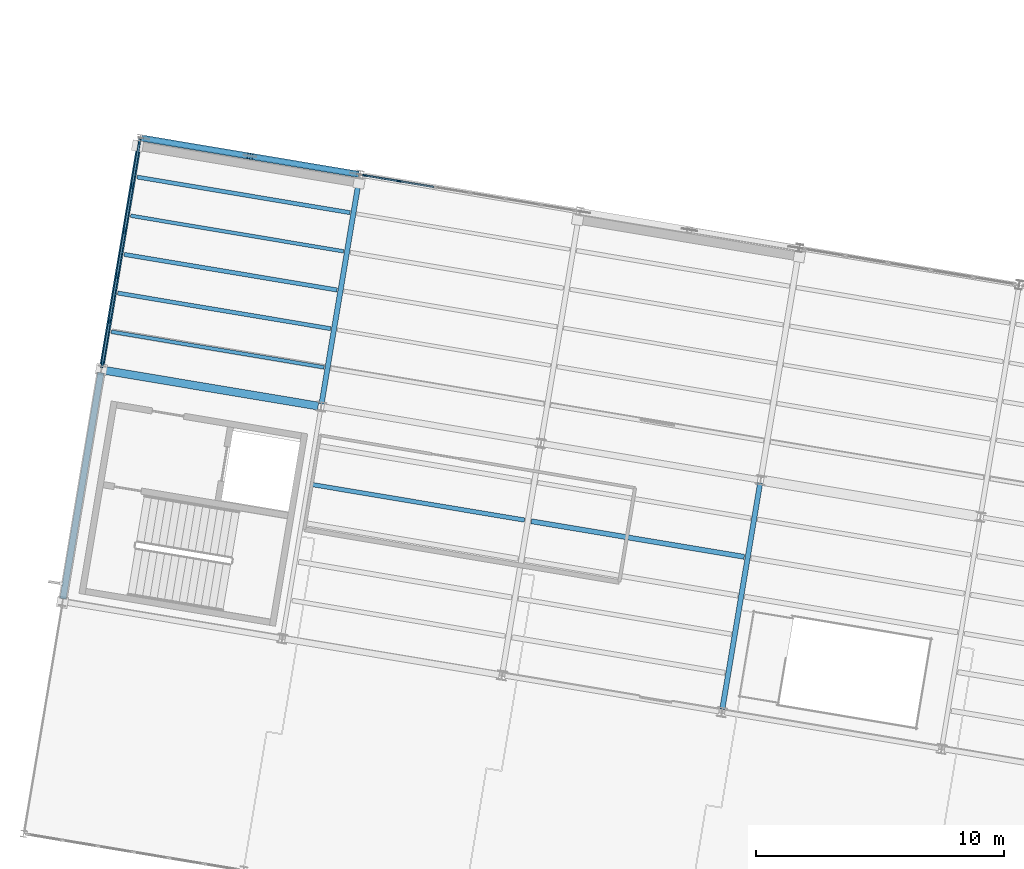
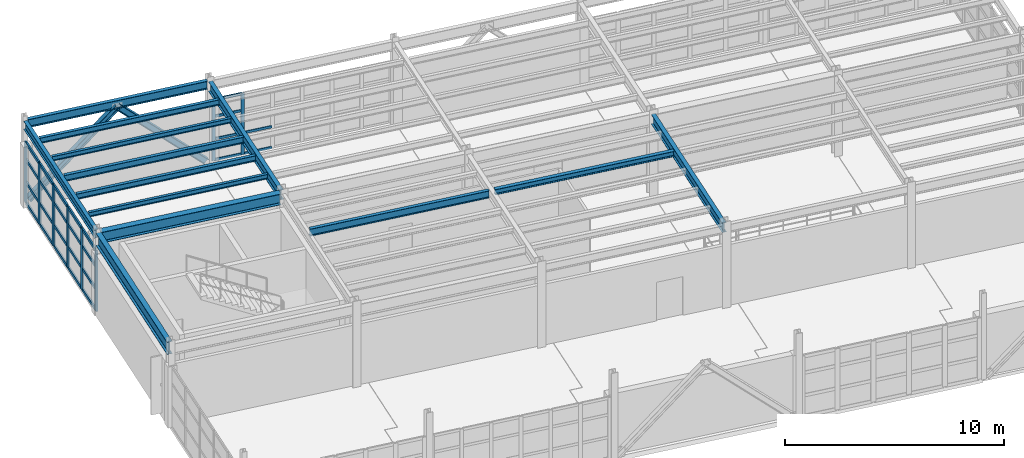
# One storey, part 40 of 102: 36 members, 13 beams, 2 elements without a shape of their own.
"""IFC4 building model written with IfcOpenShell, lengths in metres."""

from ifc_helpers import new_model, si_unit, direction, frame, origin, origin_2d, place, context, subcontext, project, spatial, rectangle, i_section, extrude, material, layer, layer_set, material_profile, profile_set, type_object, element, aggregate, save


model = new_model("IFC4")

# Units and contexts
model_context = context("Model", 3, precision=1e-05, world=origin(), true_north=direction((0.0, 1.0)))
body_context = subcontext(model_context, "Body", "Model", "MODEL_VIEW")
ifc_project = project(units=[si_unit("LENGTHUNIT", "METRE"), si_unit("AREAUNIT", "SQUARE_METRE"), si_unit("VOLUMEUNIT", "CUBIC_METRE"), si_unit("PLANEANGLEUNIT", "RADIAN"), si_unit("MASSUNIT", "GRAM", prefix="KILO")], contexts=[model_context])

# Site, building, storey
site_placement = place(None, origin())
site = spatial("IfcSite", under=ifc_project, at=site_placement, CompositionType="ELEMENT")
building_placement = place(site_placement, origin())
building = spatial("IfcBuilding", under=site, at=building_placement, Name="Vireo Bluff Cable Station", CompositionType="ELEMENT")
storey_placement = place(building_placement, frame((0.0, 0.0, 9.60009765625)))
storey = spatial("IfcBuildingStorey", under=building, at=storey_placement, Name="L02", CompositionType="ELEMENT", Elevation=9.60009765625)

# Beam
ifc_material_1 = material(Name="Steel ASTM A992 Gr. 50", Category="steel")
ifc_material_profile_1 = material_profile(ifc_material_1, i_section(OverallWidth=0.2099609375, OverallDepth=0.535888671875, WebThickness=0.010986328125, FlangeThickness=0.017333984375, FilletRadius=0.012939453125, at=origin_2d()), Name="W21X68")
ifc_profile_set_1 = profile_set([ifc_material_profile_1], Name="Steel ASTM A992 Gr. 50")
beam_type_1 = type_object("IfcBeamType", Name="BM-W21X68", PredefinedType="BEAM", material=ifc_profile_set_1)
beam_1_placement = place(storey_placement, frame((17.5322265625, 88.872314453125, 4.27197265625), z_axis=(0.165044536891, 0.986286115102, 0.0), x_axis=(-0.986286115102, 0.165044536891, 0.0)))
element("IfcBeam", 1, at=beam_1_placement, inside=storey, type_object=beam_type_1, Name="V4 L02 beam 990", PredefinedType="BEAM", context=body_context, shape_type="SweptSolid", body=[
    extrude(i_section(OverallWidth=0.2099609375, OverallDepth=0.535888671875, WebThickness=0.010986328125, FlangeThickness=0.017333984375, FilletRadius=0.012939453125, at=origin_2d()), origin(), (0.0, 0.0, 1.0), 9.260009765625),
])

# Members
ifc_material_profile_2 = material_profile(ifc_material_1, i_section(OverallWidth=0.25390625, OverallDepth=0.305908203125, WebThickness=0.0087890625, FlangeThickness=0.0146484375, FilletRadius=0.010986328125, at=origin_2d()), Name="W12X53")
ifc_profile_set_2 = profile_set([ifc_material_profile_2], Name="Steel ASTM A992 Gr. 50")
member_type_1 = type_object("IfcMemberType", Name="BRC-04", PredefinedType="BRACE", material=ifc_profile_set_2)
member_1_placement = place(storey_placement, frame((10.361572265625, 99.582763671875, 0.039794921875), z_axis=(0.713650967905, -0.119423483707, 0.690246570109), x_axis=(0.165046622801, 0.986285766044, 0.0)))
element("IfcMember", 2, at=member_1_placement, inside=storey, type_object=member_type_1, Name="V4 L02 concentric brace 75L", PredefinedType="BRACE", context=body_context, shape_type="SweptSolid", body=[
    extrude(i_section(OverallWidth=0.25390625, OverallDepth=0.305908203125, WebThickness=0.0087890625, FlangeThickness=0.0146484375, FilletRadius=0.010986328125, at=origin_2d()), origin(), (0.0, 0.0, 1.0), 5.998046875),
])
ifc_material_profile_3 = material_profile(ifc_material_1, i_section(OverallWidth=0.25390625, OverallDepth=0.31005859375, WebThickness=0.009033203125, FlangeThickness=0.016357421875, FilletRadius=0.010986328125, at=origin_2d()), Name="W12X58")
ifc_profile_set_3 = profile_set([ifc_material_profile_3], Name="Steel ASTM A992 Gr. 50")
member_type_2 = type_object("IfcMemberType", Name="BRC-05", PredefinedType="BRACE", material=ifc_profile_set_3)
member_2_placement = place(storey_placement, frame((18.922607421875, 98.150146484375, 0.039794921875), z_axis=(-0.713650967905, 0.119423483707, 0.690246570109), x_axis=(-0.165046622801, -0.986285766044, 0.0)))
element("IfcMember", 3, at=member_2_placement, inside=storey, type_object=member_type_2, Name="V4 L02 concentric brace 76R", PredefinedType="BRACE", context=body_context, shape_type="SweptSolid", body=[
    extrude(i_section(OverallWidth=0.25390625, OverallDepth=0.31005859375, WebThickness=0.009033203125, FlangeThickness=0.016357421875, FilletRadius=0.010986328125, at=origin_2d()), origin(), (0.0, 0.0, 1.0), 5.998046875),
])

# Curtain wall, members
ifc_material_2 = material(Name="Anodized Aluminium 6063-T6", Category="aluminium")
ifc_layer_1 = layer(ifc_material_2, 0.179931640625, Name="Anodized Aluminium 6063-T6")
ifc_layer_set_1 = layer_set([ifc_layer_1], Name="Anodized Aluminium 6063-T6")
curtain_wall_type_1 = type_object("IfcCurtainWallType", Name="CW-UNIT-1500", PredefinedType="USERDEFINED", material=ifc_layer_set_1)
curtain_wall_1_placement = place(storey_placement, origin())
curtain_wall_1 = element("IfcCurtainWall", 4, at=curtain_wall_1_placement, inside=storey, type_object=curtain_wall_type_1, Name="V4 L02 north curtain wall CW-100", ObjectType="UNITISED CURTAIN WALL", PredefinedType="USERDEFINED")
ifc_material_profile_4 = material_profile(ifc_material_2, rectangle(XDim=0.06494140625, YDim=0.179931640625, at=origin_2d()), Name="ALU-M-65X180")
ifc_profile_set_4 = profile_set([ifc_material_profile_4], Name="Anodized Aluminium 6063-T6")
member_type_3 = type_object("IfcMemberType", Name="CWM-01", PredefinedType="MULLION", material=ifc_profile_set_4)
member_3_placement = place(storey_placement, frame((19.268798828125, 98.09228515625, 0.0), z_axis=(0.0, 0.0, 1.0), x_axis=(0.165047544373, 0.986285611827, 0.0)))
member_3 = element("IfcMember", 5, at=member_3_placement, type_object=member_type_3, Name="CW-100 mullion 1", PredefinedType="MULLION", context=body_context, shape_type="SweptSolid", body=[
    extrude(rectangle(XDim=0.06494140625, YDim=0.179931640625, at=origin_2d()), origin(), (0.0, 0.0, 1.0), 3.39990234375),
])
member_4_placement = place(storey_placement, frame((20.664306640625, 97.858642578125, 0.0), z_axis=(0.0, 0.0, 1.0), x_axis=(0.165047544373, 0.986285611827, 0.0)))
member_4 = element("IfcMember", 6, at=member_4_placement, type_object=member_type_3, Name="CW-100 mullion 2", PredefinedType="MULLION", context=body_context, shape_type="SweptSolid", body=[
    extrude(rectangle(XDim=0.06494140625, YDim=0.179931640625, at=origin_2d()), origin(), (0.0, 0.0, 1.0), 3.39990234375),
])

ifc_layer_2 = layer(ifc_material_2, 0.159912109375, Name="Anodized Aluminium 6063-T6")
ifc_layer_set_2 = layer_set([ifc_layer_2], Name="Anodized Aluminium 6063-T6")
curtain_wall_type_2 = type_object("IfcCurtainWallType", Name="CW-STICK-1850", PredefinedType="USERDEFINED", material=ifc_layer_set_2)
curtain_wall_2_placement = place(storey_placement, origin())
curtain_wall_2 = element("IfcCurtainWall", 7, at=curtain_wall_2_placement, inside=storey, type_object=curtain_wall_type_2, Name="V4 L02 west curtain wall CW-099", ObjectType="STICK CURTAIN WALL", PredefinedType="USERDEFINED")
ifc_material_profile_5 = material_profile(ifc_material_2, rectangle(XDim=0.080078125, YDim=0.239990234375, at=origin_2d()), Name="ALU-M-80X240")
ifc_profile_set_5 = profile_set([ifc_material_profile_5], Name="Anodized Aluminium 6063-T6")
member_type_4 = type_object("IfcMemberType", Name="CWM-04", PredefinedType="MULLION", material=ifc_profile_set_5)
member_5_placement = place(storey_placement, frame((8.66943359375, 90.440185546875, 0.0), z_axis=(0.0, 0.0, 1.0), x_axis=(-0.986285599509, 0.165047617979, 0.0)))
member_5 = element("IfcMember", 8, at=member_5_placement, type_object=member_type_4, Name="CW-099 mullion 1", PredefinedType="MULLION", context=body_context, shape_type="SweptSolid", body=[
    extrude(rectangle(XDim=0.080078125, YDim=0.239990234375, at=origin_2d()), origin(), (0.0, 0.0, 1.0), 3.39990234375),
])
member_6_placement = place(storey_placement, frame((8.966796875, 92.216796875, 0.0), z_axis=(0.0, 0.0, 1.0), x_axis=(-0.986285599509, 0.165047617979, 0.0)))
member_6 = element("IfcMember", 9, at=member_6_placement, type_object=member_type_4, Name="CW-099 mullion 2", PredefinedType="MULLION", context=body_context, shape_type="SweptSolid", body=[
    extrude(rectangle(XDim=0.080078125, YDim=0.239990234375, at=origin_2d()), origin(), (0.0, 0.0, 1.0), 3.39990234375),
])
member_7_placement = place(storey_placement, frame((9.270751953125, 94.03271484375, 0.0), z_axis=(0.0, 0.0, 1.0), x_axis=(-0.986285599509, 0.165047617979, 0.0)))
member_7 = element("IfcMember", 10, at=member_7_placement, type_object=member_type_4, Name="CW-099 mullion 3", PredefinedType="MULLION", context=body_context, shape_type="SweptSolid", body=[
    extrude(rectangle(XDim=0.080078125, YDim=0.239990234375, at=origin_2d()), origin(), (0.0, 0.0, 1.0), 3.39990234375),
])
member_8_placement = place(storey_placement, frame((9.57470703125, 95.848876953125, 0.0), z_axis=(0.0, 0.0, 1.0), x_axis=(-0.986285599509, 0.165047617979, 0.0)))
member_8 = element("IfcMember", 11, at=member_8_placement, type_object=member_type_4, Name="CW-099 mullion 4", PredefinedType="MULLION", context=body_context, shape_type="SweptSolid", body=[
    extrude(rectangle(XDim=0.080078125, YDim=0.239990234375, at=origin_2d()), origin(), (0.0, 0.0, 1.0), 3.39990234375),
])
member_9_placement = place(storey_placement, frame((9.87841796875, 97.664794921875, 0.0), z_axis=(0.0, 0.0, 1.0), x_axis=(-0.986285599509, 0.165047617979, 0.0)))
member_9 = element("IfcMember", 12, at=member_9_placement, type_object=member_type_4, Name="CW-099 mullion 5", PredefinedType="MULLION", context=body_context, shape_type="SweptSolid", body=[
    extrude(rectangle(XDim=0.080078125, YDim=0.239990234375, at=origin_2d()), origin(), (0.0, 0.0, 1.0), 3.39990234375),
])
member_10_placement = place(storey_placement, frame((10.17578125, 99.44140625, 0.0), z_axis=(0.0, 0.0, 1.0), x_axis=(-0.986285599509, 0.165047617979, 0.0)))
member_10 = element("IfcMember", 13, at=member_10_placement, type_object=member_type_4, Name="CW-099 mullion 6", PredefinedType="MULLION", context=body_context, shape_type="SweptSolid", body=[
    extrude(rectangle(XDim=0.080078125, YDim=0.239990234375, at=origin_2d()), origin(), (0.0, 0.0, 1.0), 3.39990234375),
])

# Member
ifc_material_profile_6 = material_profile(ifc_material_2, rectangle(XDim=0.06494140625, YDim=0.139892578125, at=origin_2d()), Name="ALU-T-65X140")
ifc_profile_set_6 = profile_set([ifc_material_profile_6], Name="Anodized Aluminium 6063-T6")
member_type_5 = type_object("IfcMemberType", Name="CWT-01", PredefinedType="USERDEFINED", material=ifc_profile_set_6)
member_11_placement = place(storey_placement, frame((19.30078125, 98.0869140625, 0.032470703125), z_axis=(0.986276374104, -0.165102737359, 0.0), x_axis=(0.165102737359, 0.986276374104, 0.0)))
member_11 = element("IfcMember", 14, at=member_11_placement, type_object=member_type_5, Name="CW-100 transom 1.1", ObjectType="TRANSOM", PredefinedType="USERDEFINED", context=body_context, shape_type="SweptSolid", body=[
    extrude(rectangle(XDim=0.06494140625, YDim=0.139892578125, at=origin_2d()), origin(), (0.0, 0.0, 1.0), 1.35009765625),
])

member_12_placement = place(storey_placement, frame((19.30078125, 98.0869140625, 1.18994140625), z_axis=(0.986276374104, -0.165102737359, 0.0), x_axis=(0.165102737359, 0.986276374104, 0.0)))
member_12 = element("IfcMember", 15, at=member_12_placement, type_object=member_type_5, Name="CW-100 transom 1.2", ObjectType="TRANSOM", PredefinedType="USERDEFINED", context=body_context, shape_type="SweptSolid", body=[
    extrude(rectangle(XDim=0.06494140625, YDim=0.139892578125, at=origin_2d()), origin(), (0.0, 0.0, 1.0), 1.35009765625),
])

member_13_placement = place(storey_placement, frame((19.30078125, 98.0869140625, 2.447998046875), z_axis=(0.986276374104, -0.165102737359, 0.0), x_axis=(0.165102737359, 0.986276374104, 0.0)))
member_13 = element("IfcMember", 16, at=member_13_placement, type_object=member_type_5, Name="CW-100 transom 1.3", ObjectType="TRANSOM", PredefinedType="USERDEFINED", context=body_context, shape_type="SweptSolid", body=[
    extrude(rectangle(XDim=0.06494140625, YDim=0.139892578125, at=origin_2d()), origin(), (0.0, 0.0, 1.0), 1.35009765625),
])

member_14_placement = place(storey_placement, frame((19.30078125, 98.0869140625, 3.367431640625), z_axis=(0.986276374104, -0.165102737359, 0.0), x_axis=(0.165102737359, 0.986276374104, 0.0)))
member_14 = element("IfcMember", 17, at=member_14_placement, type_object=member_type_5, Name="CW-100 transom 1.4", ObjectType="TRANSOM", PredefinedType="USERDEFINED", context=body_context, shape_type="SweptSolid", body=[
    extrude(rectangle(XDim=0.06494140625, YDim=0.139892578125, at=origin_2d()), origin(), (0.0, 0.0, 1.0), 1.35009765625),
])

member_15_placement = place(storey_placement, frame((20.696533203125, 97.853271484375, 0.032470703125), z_axis=(0.986274344137, -0.165114863343, 0.0), x_axis=(0.165114863343, 0.986274344137, 0.0)))
member_15 = element("IfcMember", 18, at=member_15_placement, type_object=member_type_5, Name="CW-100 transom 2.1", ObjectType="TRANSOM", PredefinedType="USERDEFINED", context=body_context, shape_type="SweptSolid", body=[
    extrude(rectangle(XDim=0.06494140625, YDim=0.139892578125, at=origin_2d()), origin(), (0.0, 0.0, 1.0), 1.382568359375),
])

member_16_placement = place(storey_placement, frame((20.696533203125, 97.853271484375, 1.18994140625), z_axis=(0.986274344137, -0.165114863343, 0.0), x_axis=(0.165114863343, 0.986274344137, 0.0)))
member_16 = element("IfcMember", 19, at=member_16_placement, type_object=member_type_5, Name="CW-100 transom 2.2", ObjectType="TRANSOM", PredefinedType="USERDEFINED", context=body_context, shape_type="SweptSolid", body=[
    extrude(rectangle(XDim=0.06494140625, YDim=0.139892578125, at=origin_2d()), origin(), (0.0, 0.0, 1.0), 1.382568359375),
])

aggregate(curtain_wall_1, [member_3, member_4, member_11, member_12, member_13, member_14, member_15, member_16])

ifc_material_profile_7 = material_profile(ifc_material_2, rectangle(XDim=0.080078125, YDim=0.175048828125, at=origin_2d()), Name="ALU-T-80X175")
ifc_profile_set_7 = profile_set([ifc_material_profile_7], Name="Anodized Aluminium 6063-T6")
member_type_6 = type_object("IfcMemberType", Name="CWT-04", PredefinedType="USERDEFINED", material=ifc_profile_set_7)
member_17_placement = place(storey_placement, frame((8.676025390625, 90.4794921875, 0.039794921875), z_axis=(0.165088925879, 0.986278686048, 0.0), x_axis=(-0.986278686048, 0.165088925879, 0.0)))
member_17 = element("IfcMember", 20, at=member_17_placement, type_object=member_type_6, Name="CW-099 transom 1.1", ObjectType="TRANSOM", PredefinedType="USERDEFINED", context=body_context, shape_type="SweptSolid", body=[
    extrude(rectangle(XDim=0.080078125, YDim=0.175048828125, at=origin_2d()), origin(), (0.0, 0.0, 1.0), 1.721435546875),
])

member_18_placement = place(storey_placement, frame((8.676025390625, 90.4794921875, 1.18994140625), z_axis=(0.165088925879, 0.986278686048, 0.0), x_axis=(-0.986278686048, 0.165088925879, 0.0)))
member_18 = element("IfcMember", 21, at=member_18_placement, type_object=member_type_6, Name="CW-099 transom 1.2", ObjectType="TRANSOM", PredefinedType="USERDEFINED", context=body_context, shape_type="SweptSolid", body=[
    extrude(rectangle(XDim=0.080078125, YDim=0.175048828125, at=origin_2d()), origin(), (0.0, 0.0, 1.0), 1.721435546875),
])

member_19_placement = place(storey_placement, frame((8.676025390625, 90.4794921875, 2.447998046875), z_axis=(0.165088925879, 0.986278686048, 0.0), x_axis=(-0.986278686048, 0.165088925879, 0.0)))
member_19 = element("IfcMember", 22, at=member_19_placement, type_object=member_type_6, Name="CW-099 transom 1.3", ObjectType="TRANSOM", PredefinedType="USERDEFINED", context=body_context, shape_type="SweptSolid", body=[
    extrude(rectangle(XDim=0.080078125, YDim=0.175048828125, at=origin_2d()), origin(), (0.0, 0.0, 1.0), 1.721435546875),
])

member_20_placement = place(storey_placement, frame((8.676025390625, 90.4794921875, 3.35986328125), z_axis=(0.165088925879, 0.986278686048, 0.0), x_axis=(-0.986278686048, 0.165088925879, 0.0)))
member_20 = element("IfcMember", 23, at=member_20_placement, type_object=member_type_6, Name="CW-099 transom 1.4", ObjectType="TRANSOM", PredefinedType="USERDEFINED", context=body_context, shape_type="SweptSolid", body=[
    extrude(rectangle(XDim=0.080078125, YDim=0.175048828125, at=origin_2d()), origin(), (0.0, 0.0, 1.0), 1.721435546875),
])

member_21_placement = place(storey_placement, frame((8.973388671875, 92.256103515625, 0.039794921875), z_axis=(0.165073221706, 0.986281314573, 0.0), x_axis=(-0.986281314573, 0.165073221706, 0.0)))
member_21 = element("IfcMember", 24, at=member_21_placement, type_object=member_type_6, Name="CW-099 transom 2.1", ObjectType="TRANSOM", PredefinedType="USERDEFINED", context=body_context, shape_type="SweptSolid", body=[
    extrude(rectangle(XDim=0.080078125, YDim=0.175048828125, at=origin_2d()), origin(), (0.0, 0.0, 1.0), 1.761474609375),
])

member_22_placement = place(storey_placement, frame((8.973388671875, 92.256103515625, 1.18994140625), z_axis=(0.165073221706, 0.986281314573, 0.0), x_axis=(-0.986281314573, 0.165073221706, 0.0)))
member_22 = element("IfcMember", 25, at=member_22_placement, type_object=member_type_6, Name="CW-099 transom 2.2", ObjectType="TRANSOM", PredefinedType="USERDEFINED", context=body_context, shape_type="SweptSolid", body=[
    extrude(rectangle(XDim=0.080078125, YDim=0.175048828125, at=origin_2d()), origin(), (0.0, 0.0, 1.0), 1.761474609375),
])

member_23_placement = place(storey_placement, frame((8.973388671875, 92.256103515625, 2.447998046875), z_axis=(0.165073221706, 0.986281314573, 0.0), x_axis=(-0.986281314573, 0.165073221706, 0.0)))
member_23 = element("IfcMember", 26, at=member_23_placement, type_object=member_type_6, Name="CW-099 transom 2.3", ObjectType="TRANSOM", PredefinedType="USERDEFINED", context=body_context, shape_type="SweptSolid", body=[
    extrude(rectangle(XDim=0.080078125, YDim=0.175048828125, at=origin_2d()), origin(), (0.0, 0.0, 1.0), 1.761474609375),
])

member_24_placement = place(storey_placement, frame((8.973388671875, 92.256103515625, 3.35986328125), z_axis=(0.165073221706, 0.986281314573, 0.0), x_axis=(-0.986281314573, 0.165073221706, 0.0)))
member_24 = element("IfcMember", 27, at=member_24_placement, type_object=member_type_6, Name="CW-099 transom 2.4", ObjectType="TRANSOM", PredefinedType="USERDEFINED", context=body_context, shape_type="SweptSolid", body=[
    extrude(rectangle(XDim=0.080078125, YDim=0.175048828125, at=origin_2d()), origin(), (0.0, 0.0, 1.0), 1.761474609375),
])

member_25_placement = place(storey_placement, frame((9.27734375, 94.072265625, 0.039794921875), z_axis=(0.165095790109, 0.986277537049, 0.0), x_axis=(-0.986277537049, 0.165095790109, 0.0)))
member_25 = element("IfcMember", 28, at=member_25_placement, type_object=member_type_6, Name="CW-099 transom 3.1", ObjectType="TRANSOM", PredefinedType="USERDEFINED", context=body_context, shape_type="SweptSolid", body=[
    extrude(rectangle(XDim=0.080078125, YDim=0.175048828125, at=origin_2d()), origin(), (0.0, 0.0, 1.0), 1.76123046875),
])

member_26_placement = place(storey_placement, frame((9.27734375, 94.072265625, 1.18994140625), z_axis=(0.165095790109, 0.986277537049, 0.0), x_axis=(-0.986277537049, 0.165095790109, 0.0)))
member_26 = element("IfcMember", 29, at=member_26_placement, type_object=member_type_6, Name="CW-099 transom 3.2", ObjectType="TRANSOM", PredefinedType="USERDEFINED", context=body_context, shape_type="SweptSolid", body=[
    extrude(rectangle(XDim=0.080078125, YDim=0.175048828125, at=origin_2d()), origin(), (0.0, 0.0, 1.0), 1.76123046875),
])

member_27_placement = place(storey_placement, frame((9.27734375, 94.072265625, 2.447998046875), z_axis=(0.165095790109, 0.986277537049, 0.0), x_axis=(-0.986277537049, 0.165095790109, 0.0)))
member_27 = element("IfcMember", 30, at=member_27_placement, type_object=member_type_6, Name="CW-099 transom 3.3", ObjectType="TRANSOM", PredefinedType="USERDEFINED", context=body_context, shape_type="SweptSolid", body=[
    extrude(rectangle(XDim=0.080078125, YDim=0.175048828125, at=origin_2d()), origin(), (0.0, 0.0, 1.0), 1.76123046875),
])

member_28_placement = place(storey_placement, frame((9.27734375, 94.072265625, 3.35986328125), z_axis=(0.165095790109, 0.986277537049, 0.0), x_axis=(-0.986277537049, 0.165095790109, 0.0)))
member_28 = element("IfcMember", 31, at=member_28_placement, type_object=member_type_6, Name="CW-099 transom 3.4", ObjectType="TRANSOM", PredefinedType="USERDEFINED", context=body_context, shape_type="SweptSolid", body=[
    extrude(rectangle(XDim=0.080078125, YDim=0.175048828125, at=origin_2d()), origin(), (0.0, 0.0, 1.0), 1.76123046875),
])

member_29_placement = place(storey_placement, frame((9.581298828125, 95.88818359375, 0.039794921875), z_axis=(0.164938393307, 0.986303871235, 0.0), x_axis=(-0.986303871235, 0.164938393307, 0.0)))
member_29 = element("IfcMember", 32, at=member_29_placement, type_object=member_type_6, Name="CW-099 transom 4.1", ObjectType="TRANSOM", PredefinedType="USERDEFINED", context=body_context, shape_type="SweptSolid", body=[
    extrude(rectangle(XDim=0.080078125, YDim=0.175048828125, at=origin_2d()), origin(), (0.0, 0.0, 1.0), 1.761474609375),
])

member_30_placement = place(storey_placement, frame((9.581298828125, 95.88818359375, 1.18994140625), z_axis=(0.164938393307, 0.986303871235, 0.0), x_axis=(-0.986303871235, 0.164938393307, 0.0)))
member_30 = element("IfcMember", 33, at=member_30_placement, type_object=member_type_6, Name="CW-099 transom 4.2", ObjectType="TRANSOM", PredefinedType="USERDEFINED", context=body_context, shape_type="SweptSolid", body=[
    extrude(rectangle(XDim=0.080078125, YDim=0.175048828125, at=origin_2d()), origin(), (0.0, 0.0, 1.0), 1.761474609375),
])

member_31_placement = place(storey_placement, frame((9.581298828125, 95.88818359375, 2.447998046875), z_axis=(0.164938393307, 0.986303871235, 0.0), x_axis=(-0.986303871235, 0.164938393307, 0.0)))
member_31 = element("IfcMember", 34, at=member_31_placement, type_object=member_type_6, Name="CW-099 transom 4.3", ObjectType="TRANSOM", PredefinedType="USERDEFINED", context=body_context, shape_type="SweptSolid", body=[
    extrude(rectangle(XDim=0.080078125, YDim=0.175048828125, at=origin_2d()), origin(), (0.0, 0.0, 1.0), 1.761474609375),
])

member_32_placement = place(storey_placement, frame((9.581298828125, 95.88818359375, 3.35986328125), z_axis=(0.164938393307, 0.986303871235, 0.0), x_axis=(-0.986303871235, 0.164938393307, 0.0)))
member_32 = element("IfcMember", 35, at=member_32_placement, type_object=member_type_6, Name="CW-099 transom 4.4", ObjectType="TRANSOM", PredefinedType="USERDEFINED", context=body_context, shape_type="SweptSolid", body=[
    extrude(rectangle(XDim=0.080078125, YDim=0.175048828125, at=origin_2d()), origin(), (0.0, 0.0, 1.0), 1.761474609375),
])

member_33_placement = place(storey_placement, frame((9.885009765625, 97.704345703125, 0.039794921875), z_axis=(0.165088925879, 0.986278686048, 0.0), x_axis=(-0.986278686048, 0.165088925879, 0.0)))
member_33 = element("IfcMember", 36, at=member_33_placement, type_object=member_type_6, Name="CW-099 transom 5.1", ObjectType="TRANSOM", PredefinedType="USERDEFINED", context=body_context, shape_type="SweptSolid", body=[
    extrude(rectangle(XDim=0.080078125, YDim=0.175048828125, at=origin_2d()), origin(), (0.0, 0.0, 1.0), 1.721435546875),
])

member_34_placement = place(storey_placement, frame((9.885009765625, 97.704345703125, 1.18994140625), z_axis=(0.165088925879, 0.986278686048, 0.0), x_axis=(-0.986278686048, 0.165088925879, 0.0)))
member_34 = element("IfcMember", 37, at=member_34_placement, type_object=member_type_6, Name="CW-099 transom 5.2", ObjectType="TRANSOM", PredefinedType="USERDEFINED", context=body_context, shape_type="SweptSolid", body=[
    extrude(rectangle(XDim=0.080078125, YDim=0.175048828125, at=origin_2d()), origin(), (0.0, 0.0, 1.0), 1.721435546875),
])

member_35_placement = place(storey_placement, frame((9.885009765625, 97.704345703125, 2.447998046875), z_axis=(0.165088925879, 0.986278686048, 0.0), x_axis=(-0.986278686048, 0.165088925879, 0.0)))
member_35 = element("IfcMember", 38, at=member_35_placement, type_object=member_type_6, Name="CW-099 transom 5.3", ObjectType="TRANSOM", PredefinedType="USERDEFINED", context=body_context, shape_type="SweptSolid", body=[
    extrude(rectangle(XDim=0.080078125, YDim=0.175048828125, at=origin_2d()), origin(), (0.0, 0.0, 1.0), 1.721435546875),
])

member_36_placement = place(storey_placement, frame((9.885009765625, 97.704345703125, 3.35986328125), z_axis=(0.165088925879, 0.986278686048, 0.0), x_axis=(-0.986278686048, 0.165088925879, 0.0)))
member_36 = element("IfcMember", 39, at=member_36_placement, type_object=member_type_6, Name="CW-099 transom 5.4", ObjectType="TRANSOM", PredefinedType="USERDEFINED", context=body_context, shape_type="SweptSolid", body=[
    extrude(rectangle(XDim=0.080078125, YDim=0.175048828125, at=origin_2d()), origin(), (0.0, 0.0, 1.0), 1.721435546875),
])

aggregate(curtain_wall_2, [member_5, member_6, member_7, member_8, member_9, member_10, member_17, member_18, member_19, member_20, member_21, member_22, member_23, member_24, member_25, member_26, member_27, member_28, member_29, member_30, member_31, member_32, member_33, member_34, member_35, member_36])

# Beams
ifc_material_profile_8 = material_profile(ifc_material_1, i_section(OverallWidth=0.324951171875, OverallDepth=0.612060546875, WebThickness=0.0126953125, FlangeThickness=0.01904296875, FilletRadius=0.012939453125, at=origin_2d()), Name="W24X104")
ifc_profile_set_8 = profile_set([ifc_material_profile_8], Name="Steel ASTM A992 Gr. 50")
beam_type_2 = type_object("IfcBeamType", Name="GIR-W24X104", PredefinedType="USERDEFINED", material=ifc_profile_set_8)
beam_2_placement = place(storey_placement, frame((8.754150390625, 90.2197265625, 4.23388671875), z_axis=(0.986285998922, -0.165045231163, 0.0), x_axis=(0.165045231163, 0.986285998922, 0.0)))
element("IfcBeam", 40, at=beam_2_placement, inside=storey, type_object=beam_type_2, Name="V4 L02 girder 981", ObjectType="GIRDER", PredefinedType="USERDEFINED", context=body_context, shape_type="SweptSolid", body=[
    extrude(i_section(OverallWidth=0.324951171875, OverallDepth=0.612060546875, WebThickness=0.0126953125, FlangeThickness=0.01904296875, FilletRadius=0.012939453125, at=origin_2d()), origin(), (0.0, 0.0, 1.0), 8.760009765625),
])
ifc_material_profile_9 = material_profile(ifc_material_1, i_section(OverallWidth=0.14599609375, OverallDepth=0.259033203125, WebThickness=0.006103515625, FlangeThickness=0.009033203125, FilletRadius=0.009033203125, at=origin_2d()), Name="W10X22")
ifc_profile_set_9 = profile_set([ifc_material_profile_9], Name="Steel ASTM A992 Gr. 50")
beam_type_3 = type_object("IfcBeamType", Name="JST-W10X22", PredefinedType="JOIST", material=ifc_profile_set_9)
for number, where, z_axis, x_axis, name in (
    (41, (9.035400390625, 91.77783203125, 4.410400390625), (0.98628550168, -0.165048202583, 0.0), (0.165048202583, 0.98628550168, 0.0), "V4 L02 composite joist 995"),
    (42, (9.8193359375, 96.462890625, 4.410400390625), (0.98628550168, -0.165048202583, 0.0), (0.165048202583, 0.98628550168, 0.0), "V4 L02 composite joist 998"),
):
    element("IfcBeam", number, at=place(storey_placement, frame(where, z_axis=z_axis, x_axis=x_axis)), inside=storey, type_object=beam_type_3, Name=name, PredefinedType="JOIST", context=body_context, shape_type="SweptSolid", body=[
        extrude(i_section(OverallWidth=0.14599609375, OverallDepth=0.259033203125, WebThickness=0.006103515625, FlangeThickness=0.009033203125, FilletRadius=0.009033203125, at=origin_2d()), origin(), (0.0, 0.0, 1.0), 8.719970703125),
    ])
ifc_material_profile_10 = material_profile(ifc_material_1, i_section(OverallWidth=0.1650390625, OverallDepth=0.31005859375, WebThickness=0.005859375, FlangeThickness=0.009765625, FilletRadius=0.010009765625, at=origin_2d()), Name="W12X26")
ifc_profile_set_10 = profile_set([ifc_material_profile_10], Name="Steel ASTM A992 Gr. 50")
beam_type_4 = type_object("IfcBeamType", Name="JST-W12X26", PredefinedType="JOIST", material=ifc_profile_set_10)
for number, where, z_axis, x_axis, name in (
    (43, (9.296630859375, 93.339599609375, 4.385009765625), (0.98628550168, -0.165048202583, 0.0), (0.165048202583, 0.98628550168, 0.0), "V4 L02 composite joist 996"),
    (44, (10.08056640625, 98.0244140625, 4.385009765625), (0.98628550168, -0.165048202583, 0.0), (0.165048202583, 0.98628550168, 0.0), "V4 L02 composite joist 999"),
):
    element("IfcBeam", number, at=place(storey_placement, frame(where, z_axis=z_axis, x_axis=x_axis)), inside=storey, type_object=beam_type_4, Name=name, PredefinedType="JOIST", context=body_context, shape_type="SweptSolid", body=[
        extrude(i_section(OverallWidth=0.1650390625, OverallDepth=0.31005859375, WebThickness=0.005859375, FlangeThickness=0.009765625, FilletRadius=0.010009765625, at=origin_2d()), origin(), (0.0, 0.0, 1.0), 8.719970703125),
    ])
ifc_material_profile_11 = material_profile(ifc_material_1, i_section(OverallWidth=0.202880859375, OverallDepth=0.302978515625, WebThickness=0.007568359375, FlangeThickness=0.01318359375, FilletRadius=0.010009765625, at=origin_2d()), Name="W12X40")
ifc_profile_set_11 = profile_set([ifc_material_profile_11], Name="Steel ASTM A992 Gr. 50")
beam_type_5 = type_object("IfcBeamType", Name="JST-W12X40", PredefinedType="JOIST", material=ifc_profile_set_11)
beam_3_placement = place(storey_placement, frame((26.00439453125, 84.122314453125, 4.388427734375), z_axis=(0.986286264339, -0.165043645063, 0.0), x_axis=(0.165043645063, 0.986286264339, 0.0)))
element("IfcBeam", 45, at=beam_3_placement, inside=storey, type_object=beam_type_5, Name="V4 L02 composite joist 1013", PredefinedType="JOIST", context=body_context, shape_type="SweptSolid", body=[
    extrude(i_section(OverallWidth=0.202880859375, OverallDepth=0.302978515625, WebThickness=0.007568359375, FlangeThickness=0.01318359375, FilletRadius=0.010009765625, at=origin_2d()), origin(), (0.0, 0.0, 1.0), 8.72021484375),
])
ifc_material_profile_12 = material_profile(ifc_material_1, i_section(OverallWidth=0.1708984375, OverallDepth=0.35107421875, WebThickness=0.0068359375, FlangeThickness=0.009765625, FilletRadius=0.010009765625, at=origin_2d()), Name="W14X30")
ifc_profile_set_12 = profile_set([ifc_material_profile_12], Name="Steel ASTM A992 Gr. 50")
beam_type_6 = type_object("IfcBeamType", Name="JST-W14X30", PredefinedType="JOIST", material=ifc_profile_set_12)
beam_4_placement = place(storey_placement, frame((9.557861328125, 94.901123046875, 4.364501953125), z_axis=(0.986286264339, -0.165043645063, 0.0), x_axis=(0.165043645063, 0.986286264339, 0.0)))
element("IfcBeam", 46, at=beam_4_placement, inside=storey, type_object=beam_type_6, Name="V4 L02 composite joist 997", PredefinedType="JOIST", context=body_context, shape_type="SweptSolid", body=[
    extrude(i_section(OverallWidth=0.1708984375, OverallDepth=0.35107421875, WebThickness=0.0068359375, FlangeThickness=0.009765625, FilletRadius=0.010009765625, at=origin_2d()), origin(), (0.0, 0.0, 1.0), 8.72021484375),
])
ifc_material_profile_13 = material_profile(ifc_material_1, i_section(OverallWidth=0.177978515625, OverallDepth=0.404052734375, WebThickness=0.007568359375, FlangeThickness=0.010986328125, FilletRadius=0.010009765625, at=origin_2d()), Name="W16X36")
ifc_profile_set_13 = profile_set([ifc_material_profile_13], Name="Steel ASTM A992 Gr. 50")
beam_type_7 = type_object("IfcBeamType", Name="JST-W16X36", PredefinedType="JOIST", material=ifc_profile_set_13)
beam_5_placement = place(storey_placement, frame((17.1279296875, 85.607666015625, 4.337890625), z_axis=(0.98628550168, -0.165048202583, 0.0), x_axis=(0.165048202583, 0.98628550168, 0.0)))
element("IfcBeam", 47, at=beam_5_placement, inside=storey, type_object=beam_type_7, Name="V4 L02 composite joist 1003", PredefinedType="JOIST", context=body_context, shape_type="SweptSolid", body=[
    extrude(i_section(OverallWidth=0.177978515625, OverallDepth=0.404052734375, WebThickness=0.007568359375, FlangeThickness=0.010986328125, FilletRadius=0.010009765625, at=origin_2d()), origin(), (0.0, 0.0, 1.0), 8.719970703125),
])
ifc_material_profile_14 = material_profile(ifc_material_1, i_section(OverallWidth=0.19091796875, OverallDepth=0.45703125, WebThickness=0.009033203125, FlangeThickness=0.014404296875, FilletRadius=0.011962890625, at=origin_2d()), Name="W18X50")
ifc_profile_set_14 = profile_set([ifc_material_profile_14], Name="Steel ASTM A992 Gr. 50")
beam_type_8 = type_object("IfcBeamType", Name="SPN-W18X50", PredefinedType="SPANDREL", material=ifc_profile_set_14)
beam_6_placement = place(storey_placement, frame((10.322265625, 99.58935546875, 4.3115234375), z_axis=(0.986285998922, -0.165045231163, 0.0), x_axis=(0.165045231163, 0.986285998922, 0.0)))
element("IfcBeam", 48, at=beam_6_placement, inside=storey, type_object=beam_type_8, Name="V4 L02 spandrel 984", PredefinedType="SPANDREL", context=body_context, shape_type="SweptSolid", body=[
    extrude(i_section(OverallWidth=0.19091796875, OverallDepth=0.45703125, WebThickness=0.009033203125, FlangeThickness=0.014404296875, FilletRadius=0.011962890625, at=origin_2d()), origin(), (0.0, 0.0, 1.0), 8.760009765625),
])
beam_7_placement = place(storey_placement, frame((8.65576171875, 90.357666015625, 4.3115234375), z_axis=(0.165044536891, 0.986286115102, 0.0), x_axis=(-0.986286115102, 0.165044536891, 0.0)))
element("IfcBeam", 49, at=beam_7_placement, inside=storey, type_object=beam_type_8, Name="V4 L02 spandrel 988", PredefinedType="SPANDREL", context=body_context, shape_type="SweptSolid", body=[
    extrude(i_section(OverallWidth=0.19091796875, OverallDepth=0.45703125, WebThickness=0.009033203125, FlangeThickness=0.014404296875, FilletRadius=0.011962890625, at=origin_2d()), origin(), (0.0, 0.0, 1.0), 9.260009765625),
])
ifc_material_profile_15 = material_profile(ifc_material_1, i_section(OverallWidth=0.2099609375, OverallDepth=0.535888671875, WebThickness=0.010986328125, FlangeThickness=0.017333984375, FilletRadius=0.012939453125, at=origin_2d()), Name="W21X68")
ifc_profile_set_15 = profile_set([ifc_material_profile_15], Name="Steel ASTM A992 Gr. 50")
beam_type_9 = type_object("IfcBeamType", Name="SPN-W21X68", PredefinedType="SPANDREL", material=ifc_profile_set_15)
beam_8_placement = place(storey_placement, frame((33.717529296875, 76.53173828125, 4.27197265625), z_axis=(0.165044536891, 0.986286115102, 0.0), x_axis=(-0.986286115102, 0.165044536891, 0.0)))
element("IfcBeam", 50, at=beam_8_placement, inside=storey, type_object=beam_type_9, Name="V4 L02 spandrel 993", PredefinedType="SPANDREL", context=body_context, shape_type="SweptSolid", body=[
    extrude(i_section(OverallWidth=0.2099609375, OverallDepth=0.535888671875, WebThickness=0.010986328125, FlangeThickness=0.017333984375, FilletRadius=0.012939453125, at=origin_2d()), origin(), (0.0, 0.0, 1.0), 9.260009765625),
])
ifc_material_profile_16 = material_profile(ifc_material_1, i_section(OverallWidth=0.257080078125, OverallDepth=0.693115234375, WebThickness=0.014404296875, FlangeThickness=0.023681640625, FilletRadius=0.014892578125, at=origin_2d()), Name="W27X114")
ifc_profile_set_16 = profile_set([ifc_material_profile_16], Name="Steel ASTM A992 Gr. 50")
beam_type_10 = type_object("IfcBeamType", Name="SPN-W27X114", PredefinedType="SPANDREL", material=ifc_profile_set_16)
beam_9_placement = place(storey_placement, frame((7.087646484375, 80.988037109375, 4.193359375), z_axis=(0.165070183492, 0.986281823072, 0.0), x_axis=(-0.986281823072, 0.165070183492, 0.0)))
element("IfcBeam", 51, at=beam_9_placement, inside=storey, type_object=beam_type_10, Name="V4 L02 spandrel 987", PredefinedType="SPANDREL", context=body_context, shape_type="SweptSolid", body=[
    extrude(i_section(OverallWidth=0.257080078125, OverallDepth=0.693115234375, WebThickness=0.014404296875, FlangeThickness=0.023681640625, FilletRadius=0.014892578125, at=origin_2d()), origin(), (0.0, 0.0, 1.0), 9.260009765625),
])

save(model, "model.ifc")
